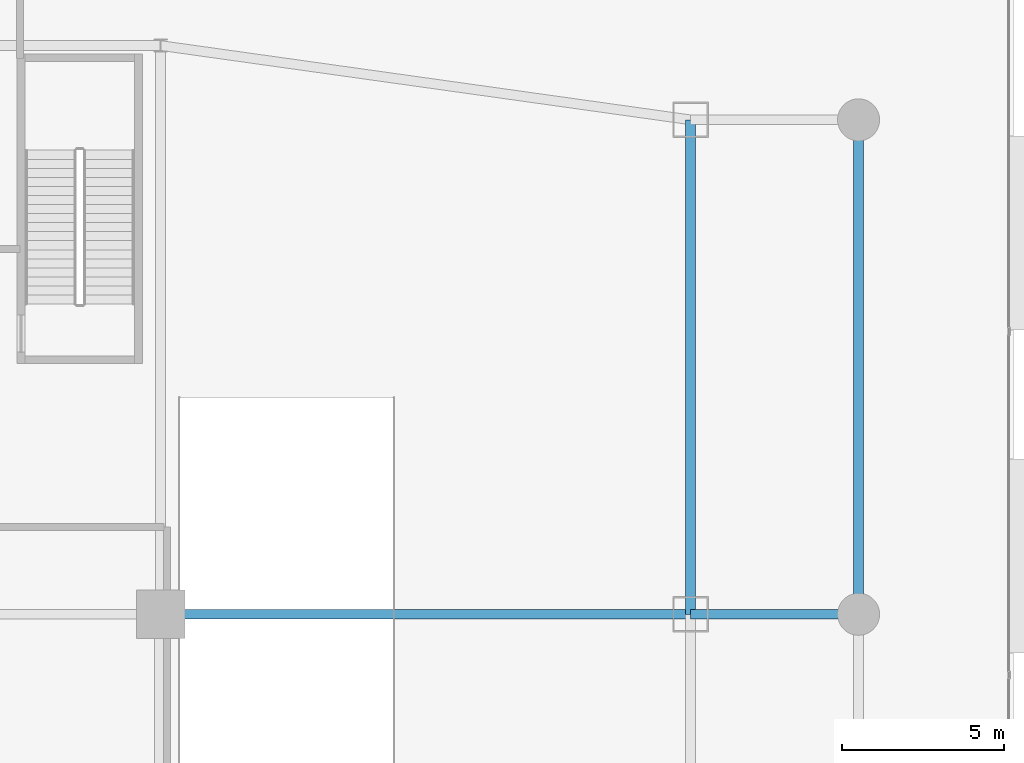
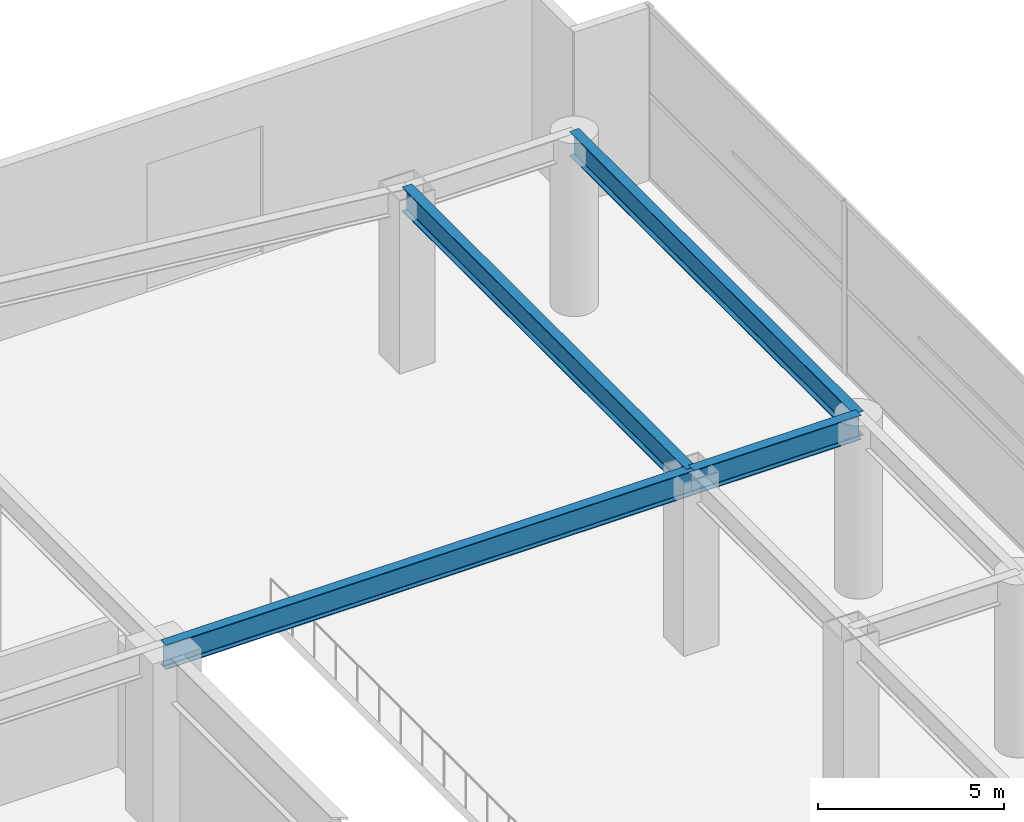
# One storey, part 7 of 20: 4 beams.
"""IFC4 building model written with IfcOpenShell, lengths in metres."""

from ifc_helpers import new_model, si_unit, direction, frame, origin, origin_2d, place, context, subcontext, project, spatial, i_section, extrude, material, material_profile, profile_set, type_object, element, save


model = new_model("IFC4")

# Units and contexts
model_context = context("Model", 3, precision=1e-05, world=origin(), true_north=direction((0.0, 1.0)))
body_context = subcontext(model_context, "Body", "Model", "MODEL_VIEW")
ifc_project = project(units=[si_unit("LENGTHUNIT", "METRE"), si_unit("AREAUNIT", "SQUARE_METRE"), si_unit("VOLUMEUNIT", "CUBIC_METRE"), si_unit("PLANEANGLEUNIT", "RADIAN"), si_unit("MASSUNIT", "GRAM", prefix="KILO")], contexts=[model_context])

# Site, building, storey
site_placement = place(None, origin())
site = spatial("IfcSite", under=ifc_project, at=site_placement, CompositionType="ELEMENT")
building_placement = place(site_placement, origin())
building = spatial("IfcBuilding", under=site, at=building_placement, Name="Calvorn Quay Hotel", CompositionType="ELEMENT")
storey_placement = place(building_placement, origin())
storey = spatial("IfcBuildingStorey", under=building, at=storey_placement, Name="L00", CompositionType="ELEMENT", Elevation=0.0)

# Beams
ifc_material = material(Name="Steel Q390GJC", Category="steel")
ifc_material_profile = material_profile(ifc_material, i_section(OverallWidth=0.300048828125, OverallDepth=0.800048828125, WebThickness=0.013916015625, FlangeThickness=0.02587890625, FilletRadius=0.02392578125, at=origin_2d()), Name="HN800x300x14x26")
ifc_profile_set = profile_set([ifc_material_profile], Name="Steel Q390GJC")
beam_type = type_object("IfcBeamType", Name="BM-GIRD-POD", PredefinedType="BEAM", material=ifc_profile_set)
beam_1_placement = place(storey_placement, frame((74.0, 36.199951171875, 5.280029296875), z_axis=(0.0, 1.0, 0.0), x_axis=(-1.0, 0.0, 0.0)))
element("IfcBeam", 1, at=beam_1_placement, inside=storey, type_object=beam_type, Name="Beam BG-L00-PE4", PredefinedType="BEAM", context=body_context, shape_type="SweptSolid", body=[
    extrude(i_section(OverallWidth=0.300048828125, OverallDepth=0.800048828125, WebThickness=0.013916015625, FlangeThickness=0.02587890625, FilletRadius=0.02392578125, at=origin_2d()), origin(), (0.0, 0.0, 1.0), 15.300048828125),
])
beam_2_placement = place(storey_placement, frame((57.60009765625, 36.199951171875, 5.280029296875), z_axis=(1.0, 0.0, 0.0), x_axis=(0.0, 1.0, 0.0)))
element("IfcBeam", 2, at=beam_2_placement, inside=storey, type_object=beam_type, Name="Beam BG-L00-PN3", PredefinedType="BEAM", context=body_context, shape_type="SweptSolid", body=[
    extrude(i_section(OverallWidth=0.300048828125, OverallDepth=0.800048828125, WebThickness=0.013916015625, FlangeThickness=0.02587890625, FilletRadius=0.02392578125, at=origin_2d()), origin(), (0.0, 0.0, 1.0), 16.39990234375),
])
beam_3_placement = place(storey_placement, frame((79.199951171875, 36.199951171875, 5.280029296875), z_axis=(0.0, 1.0, 0.0), x_axis=(-1.0, 0.0, 0.0)))
element("IfcBeam", 3, at=beam_3_placement, inside=storey, type_object=beam_type, Name="Beam BSP-L00-Q4", PredefinedType="BEAM", context=body_context, shape_type="SweptSolid", body=[
    extrude(i_section(OverallWidth=0.300048828125, OverallDepth=0.800048828125, WebThickness=0.013916015625, FlangeThickness=0.02587890625, FilletRadius=0.02392578125, at=origin_2d()), origin(), (0.0, 0.0, 1.0), 15.300048828125),
])
beam_4_placement = place(storey_placement, frame((74.0, 36.199951171875, 5.280029296875), z_axis=(1.0, 0.0, 0.0), x_axis=(0.0, 1.0, 0.0)))
element("IfcBeam", 4, at=beam_4_placement, inside=storey, type_object=beam_type, Name="Beam BG-L00-EQ4", PredefinedType="BEAM", context=body_context, shape_type="SweptSolid", body=[
    extrude(i_section(OverallWidth=0.300048828125, OverallDepth=0.800048828125, WebThickness=0.013916015625, FlangeThickness=0.02587890625, FilletRadius=0.02392578125, at=origin_2d()), origin(), (0.0, 0.0, 1.0), 5.199951171875),
])

save(model, "model.ifc")
